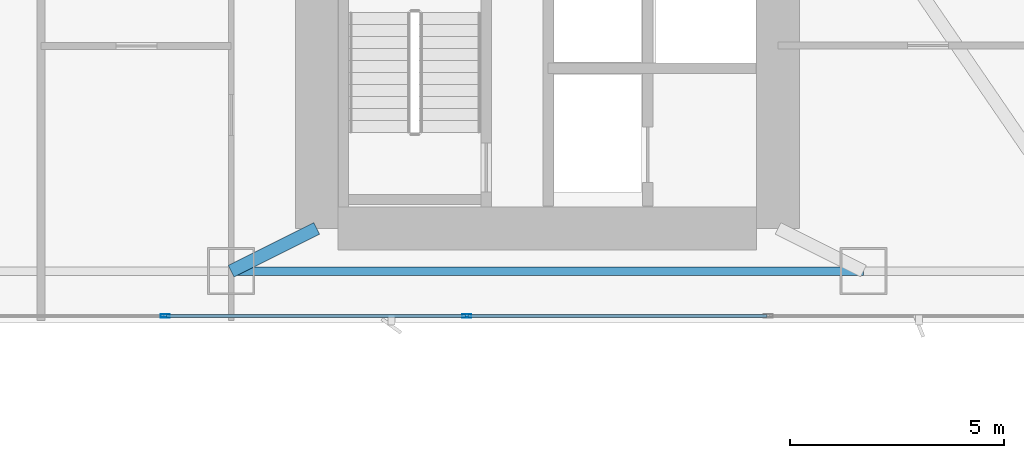
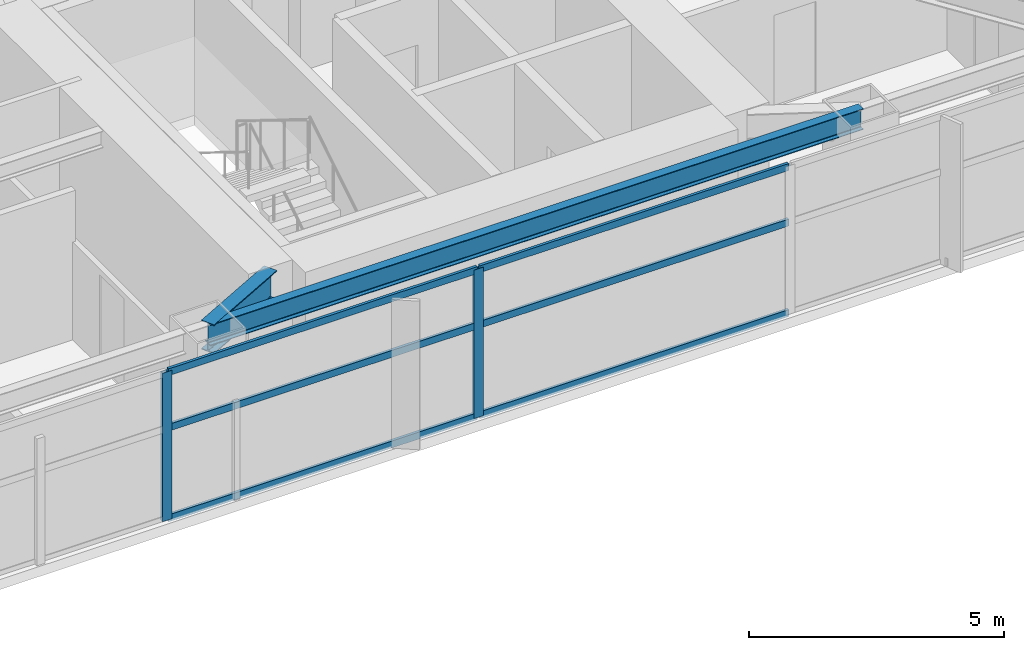
# One storey, part 6 of 29: 8 members, 2 beams, 1 element without a shape of its own.
"""IFC4 building model written with IfcOpenShell, lengths in metres."""

from ifc_helpers import new_model, si_unit, direction, frame, origin, origin_2d, place, context, subcontext, project, spatial, hollow_rectangle, i_section, extrude, material, layer, layer_set, material_profile, profile_set, type_object, element, aggregate, save


model = new_model("IFC4")

# Units and contexts
model_context = context("Model", 3, precision=1e-05, world=origin(), true_north=direction((0.0, 1.0)))
body_context = subcontext(model_context, "Body", "Model", "MODEL_VIEW")
ifc_project = project(units=[si_unit("LENGTHUNIT", "METRE"), si_unit("AREAUNIT", "SQUARE_METRE"), si_unit("VOLUMEUNIT", "CUBIC_METRE"), si_unit("PLANEANGLEUNIT", "RADIAN"), si_unit("MASSUNIT", "GRAM", prefix="KILO")], contexts=[model_context])

# Site, building, storey
site_placement = place(None, origin())
site = spatial("IfcSite", under=ifc_project, at=site_placement, CompositionType="ELEMENT")
building_placement = place(site_placement, origin())
building = spatial("IfcBuilding", under=site, at=building_placement, Name="Calvorn Quay Hotel", CompositionType="ELEMENT")
storey_placement = place(building_placement, frame((0.0, 0.0, 58.39990234375)))
storey = spatial("IfcBuildingStorey", under=building, at=storey_placement, Name="L13", CompositionType="ELEMENT", Elevation=58.39990234375)

# Beams
ifc_material_1 = material(Name="Steel Q390GJC", Category="steel")
ifc_material_profile_1 = material_profile(ifc_material_1, i_section(OverallWidth=0.300048828125, OverallDepth=0.699951171875, WebThickness=0.012939453125, FlangeThickness=0.02392578125, FilletRadius=0.02392578125, at=origin_2d()), Name="HN700x300x13x24")
ifc_profile_set_1 = profile_set([ifc_material_profile_1], Name="Steel Q390GJC")
beam_type_1 = type_object("IfcBeamType", Name="BM-GIRD-MAIN", PredefinedType="BEAM", material=ifc_profile_set_1)
beam_1_placement = place(storey_placement, frame((19.60009765625, 3.60009765625, 3.190185546875), z_axis=(0.894427191, 0.4472135955, 0.0), x_axis=(-0.4472135955, 0.894427191, 0.0)))
element("IfcBeam", 1, at=beam_1_placement, inside=storey, type_object=beam_type_1, Name="Beam BG-L13-S2", PredefinedType="BEAM", context=body_context, shape_type="SweptSolid", body=[
    extrude(i_section(OverallWidth=0.300048828125, OverallDepth=0.699951171875, WebThickness=0.012939453125, FlangeThickness=0.02392578125, FilletRadius=0.02392578125, at=origin_2d()), origin(), (0.0, 0.0, 1.0), 2.236083984375),
])
ifc_material_2 = material(Name="Steel Q355B", Category="steel")
ifc_material_profile_2 = material_profile(ifc_material_2, i_section(OverallWidth=0.199951171875, OverallDepth=0.5, WebThickness=0.010009765625, FlangeThickness=0.01611328125, FilletRadius=0.01611328125, at=origin_2d()), Name="HN500x200x10x16")
ifc_profile_set_2 = profile_set([ifc_material_profile_2], Name="Steel Q355B")
beam_type_2 = type_object("IfcBeamType", Name="BM-SPANDREL-Z1", PredefinedType="SPANDREL", material=ifc_profile_set_2)
beam_2_placement = place(storey_placement, frame((19.60009765625, 3.60009765625, 3.2900390625), z_axis=(1.0, 0.0, 0.0), x_axis=(0.0, 1.0, 0.0)))
element("IfcBeam", 2, at=beam_2_placement, inside=storey, type_object=beam_type_2, Name="Beam BSP-L13-S3", PredefinedType="SPANDREL", context=body_context, shape_type="SweptSolid", body=[
    extrude(i_section(OverallWidth=0.199951171875, OverallDepth=0.5, WebThickness=0.010009765625, FlangeThickness=0.01611328125, FilletRadius=0.01611328125, at=origin_2d()), origin(), (0.0, 0.0, 1.0), 14.7998046875),
])

# Curtain wall, members
ifc_material_3 = material(Name="Pale Anodised Aluminium and Low-E Glass", Category="aluminium")
ifc_layer = layer(ifc_material_3, 0.219970703125)
ifc_layer_set = layer_set([ifc_layer], Name="CW-SYS-Z1")
curtain_wall_type = type_object("IfcCurtainWallType", Name="CW-SYS-Z1", PredefinedType="NOTDEFINED", material=ifc_layer_set)
curtain_wall_placement = place(storey_placement, origin())
curtain_wall = element("IfcCurtainWall", 3, at=curtain_wall_placement, inside=storey, type_object=curtain_wall_type, Name="Tower South Waterfront Curtain Wall (L13)", PredefinedType="NOTDEFINED")
ifc_material_4 = material(Name="Pale Anodised Aluminium 6063-T6", Category="aluminium")
ifc_material_profile_3 = material_profile(ifc_material_4, hollow_rectangle(XDim=0.074951171875, YDim=0.219970703125, WallThickness=0.00439453125, at=origin_2d()), Name="ALU-M220x75x4.5")
ifc_profile_set_3 = profile_set([ifc_material_profile_3], Name="Pale Anodised Aluminium 6063-T6")
member_type_1 = type_object("IfcMemberType", Name="CW-SYS-Z1-MUL", PredefinedType="MULLION", material=ifc_profile_set_3)
member_1_placement = place(storey_placement, frame((18.05712890625, 2.550048828125, 0.0), z_axis=(0.0, 0.0, 1.0), x_axis=(0.0, 1.0, 0.0)))
member_1 = element("IfcMember", 4, at=member_1_placement, type_object=member_type_1, Name="CW-L13-S mullion 2", PredefinedType="MULLION", context=body_context, shape_type="SweptSolid", body=[
    extrude(hollow_rectangle(XDim=0.074951171875, YDim=0.219970703125, WallThickness=0.00439453125, at=origin_2d()), origin(), (0.0, 0.0, 1.0), 3.56005859375),
])
member_2_placement = place(storey_placement, frame((25.1142578125, 2.550048828125, 0.0), z_axis=(0.0, 0.0, 1.0), x_axis=(0.0, 1.0, 0.0)))
member_2 = element("IfcMember", 5, at=member_2_placement, type_object=member_type_1, Name="CW-L13-S mullion 3", PredefinedType="MULLION", context=body_context, shape_type="SweptSolid", body=[
    extrude(hollow_rectangle(XDim=0.074951171875, YDim=0.219970703125, WallThickness=0.00439453125, at=origin_2d()), origin(), (0.0, 0.0, 1.0), 3.56005859375),
])
ifc_material_5 = material(Name="Pale Anodised Aluminium 6063-T6", Category="aluminium")
ifc_material_profile_4 = material_profile(ifc_material_5, hollow_rectangle(XDim=0.06494140625, YDim=0.1650390625, WallThickness=0.00341796875, at=origin_2d()), Name="ALU-T165x65x3.5")
ifc_profile_set_4 = profile_set([ifc_material_profile_4], Name="Pale Anodised Aluminium 6063-T6")
member_type_2 = type_object("IfcMemberType", Name="CW-SYS-Z1-TRN", PredefinedType="USERDEFINED", material=ifc_profile_set_4)
member_3_placement = place(storey_placement, frame((18.087158203125, 2.550048828125, 0.030029296875), z_axis=(1.0, 0.0, 0.0), x_axis=(0.0, 1.0, 0.0)))
member_3 = element("IfcMember", 6, at=member_3_placement, type_object=member_type_2, Name="CW-L13-S transom 2.1", ObjectType="TRANSOM", PredefinedType="USERDEFINED", context=body_context, shape_type="SweptSolid", body=[
    extrude(hollow_rectangle(XDim=0.06494140625, YDim=0.1650390625, WallThickness=0.00341796875, at=origin_2d()), origin(), (0.0, 0.0, 1.0), 6.9970703125),
])
member_4_placement = place(storey_placement, frame((18.087158203125, 2.550048828125, 2.2001953125), z_axis=(1.0, 0.0, 0.0), x_axis=(0.0, 1.0, 0.0)))
member_4 = element("IfcMember", 7, at=member_4_placement, type_object=member_type_2, Name="CW-L13-S transom 2.2", ObjectType="TRANSOM", PredefinedType="USERDEFINED", context=body_context, shape_type="SweptSolid", body=[
    extrude(hollow_rectangle(XDim=0.06494140625, YDim=0.1650390625, WallThickness=0.00341796875, at=origin_2d()), origin(), (0.0, 0.0, 1.0), 6.9970703125),
])
member_5_placement = place(storey_placement, frame((18.087158203125, 2.550048828125, 3.530029296875), z_axis=(1.0, 0.0, 0.0), x_axis=(0.0, 1.0, 0.0)))
member_5 = element("IfcMember", 8, at=member_5_placement, type_object=member_type_2, Name="CW-L13-S transom 2.3", ObjectType="TRANSOM", PredefinedType="USERDEFINED", context=body_context, shape_type="SweptSolid", body=[
    extrude(hollow_rectangle(XDim=0.06494140625, YDim=0.1650390625, WallThickness=0.00341796875, at=origin_2d()), origin(), (0.0, 0.0, 1.0), 6.9970703125),
])
member_6_placement = place(storey_placement, frame((25.144287109375, 2.550048828125, 0.030029296875), z_axis=(1.0, 0.0, 0.0), x_axis=(0.0, 1.0, 0.0)))
member_6 = element("IfcMember", 9, at=member_6_placement, type_object=member_type_2, Name="CW-L13-S transom 3.1", ObjectType="TRANSOM", PredefinedType="USERDEFINED", context=body_context, shape_type="SweptSolid", body=[
    extrude(hollow_rectangle(XDim=0.06494140625, YDim=0.1650390625, WallThickness=0.00341796875, at=origin_2d()), origin(), (0.0, 0.0, 1.0), 6.9970703125),
])
member_7_placement = place(storey_placement, frame((25.144287109375, 2.550048828125, 2.2001953125), z_axis=(1.0, 0.0, 0.0), x_axis=(0.0, 1.0, 0.0)))
member_7 = element("IfcMember", 10, at=member_7_placement, type_object=member_type_2, Name="CW-L13-S transom 3.2", ObjectType="TRANSOM", PredefinedType="USERDEFINED", context=body_context, shape_type="SweptSolid", body=[
    extrude(hollow_rectangle(XDim=0.06494140625, YDim=0.1650390625, WallThickness=0.00341796875, at=origin_2d()), origin(), (0.0, 0.0, 1.0), 6.9970703125),
])
member_8_placement = place(storey_placement, frame((25.144287109375, 2.550048828125, 3.530029296875), z_axis=(1.0, 0.0, 0.0), x_axis=(0.0, 1.0, 0.0)))
member_8 = element("IfcMember", 11, at=member_8_placement, type_object=member_type_2, Name="CW-L13-S transom 3.3", ObjectType="TRANSOM", PredefinedType="USERDEFINED", context=body_context, shape_type="SweptSolid", body=[
    extrude(hollow_rectangle(XDim=0.06494140625, YDim=0.1650390625, WallThickness=0.00341796875, at=origin_2d()), origin(), (0.0, 0.0, 1.0), 6.9970703125),
])
aggregate(curtain_wall, [member_1, member_2, member_3, member_4, member_5, member_6, member_7, member_8])

save(model, "model.ifc")
